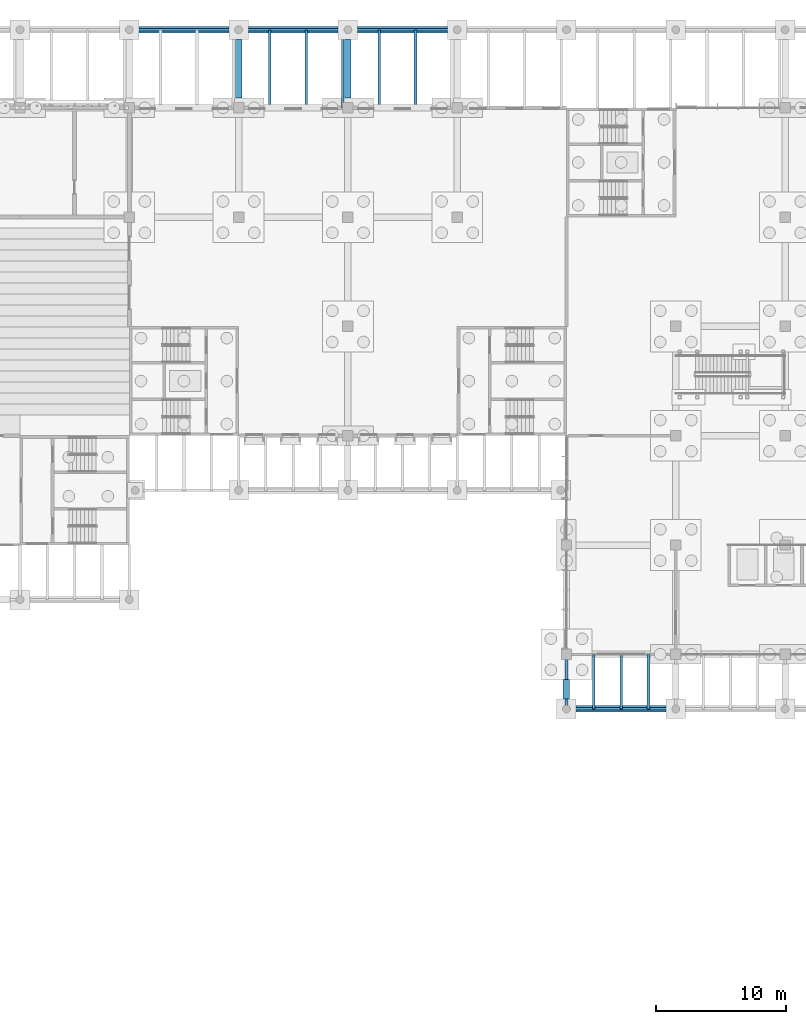
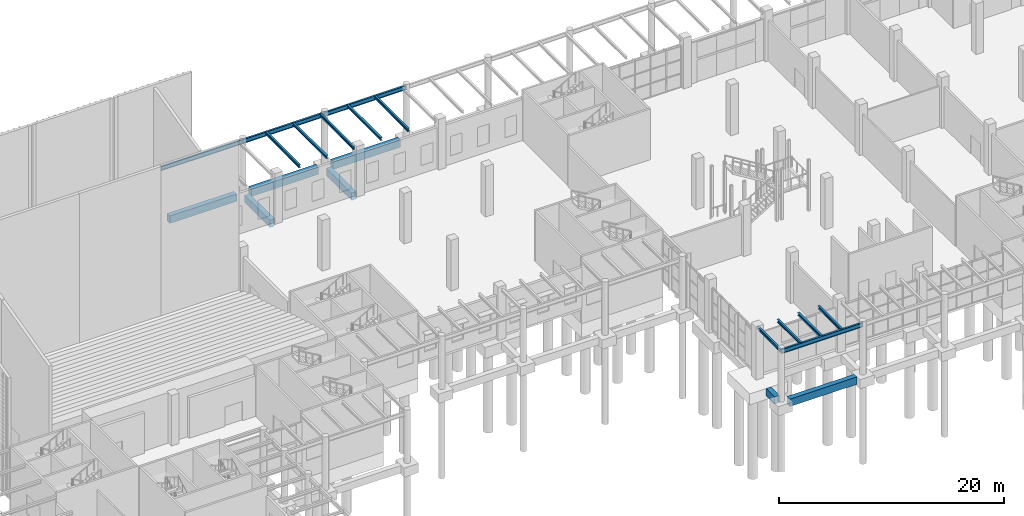
# One storey, part 12 of 82: 11 beams, 9 members.
"""IFC4 building model written with IfcOpenShell, lengths in metres."""

from ifc_helpers import new_model, si_unit, direction, frame, origin, origin_2d, place, context, subcontext, project, spatial, rectangle, i_section, extrude, material, material_profile, profile_set, type_object, element, save


model = new_model("IFC4")

# Units and contexts
model_context = context("Model", 3, precision=1e-05, world=origin(), true_north=direction((0.0, 1.0)))
body_context = subcontext(model_context, "Body", "Model", "MODEL_VIEW")
ifc_project = project(units=[si_unit("LENGTHUNIT", "METRE"), si_unit("AREAUNIT", "SQUARE_METRE"), si_unit("VOLUMEUNIT", "CUBIC_METRE"), si_unit("PLANEANGLEUNIT", "RADIAN"), si_unit("MASSUNIT", "GRAM", prefix="KILO")], contexts=[model_context])

# Site, building, storey
site_placement = place(None, origin())
site = spatial("IfcSite", under=ifc_project, at=site_placement, CompositionType="ELEMENT")
building_placement = place(site_placement, origin())
building = spatial("IfcBuilding", under=site, at=building_placement, Name="Almond Square Museum", CompositionType="ELEMENT")
storey_placement = place(building_placement, origin())
storey = spatial("IfcBuildingStorey", under=building, at=storey_placement, Name="L00", CompositionType="ELEMENT", Elevation=0.0)

# Beams
ifc_material_1 = material(Name="Structural steel S355", Category="steel")
ifc_material_profile_1 = material_profile(ifc_material_1, i_section(OverallWidth=0.19091796875, OverallDepth=0.45703125, WebThickness=0.009033203125, FlangeThickness=0.014404296875, at=origin_2d()))
ifc_profile_set_1 = profile_set([ifc_material_profile_1], Name="Structural steel S355")
beam_type_1 = type_object("IfcBeamType", Name="Eave beam W460x74", PredefinedType="BEAM", material=ifc_profile_set_1)
for number, where, z_axis, x_axis, name in (
    (1, (39.60009765625, 115.199951171875, 5.021484375), (1.0, 0.0, 0.0), (0.0, 1.0, 0.0), "ARN roof edge beam 6"),
    (2, (48.0, 115.199951171875, 5.021484375), (1.0, 0.0, 0.0), (0.0, 1.0, 0.0), "ARN roof edge beam 7"),
):
    element("IfcBeam", number, at=place(storey_placement, frame(where, z_axis=z_axis, x_axis=x_axis)), inside=storey, type_object=beam_type_1, Name=name, PredefinedType="BEAM", context=body_context, shape_type="SweptSolid", body=[
        extrude(i_section(OverallWidth=0.19091796875, OverallDepth=0.45703125, WebThickness=0.009033203125, FlangeThickness=0.014404296875, at=origin_2d()), origin(), (0.0, 0.0, 1.0), 8.39990234375),
    ])
for number, where, z_axis, x_axis, name in (
    (3, (56.39990234375, 115.199951171875, 5.021484375), (1.0, 0.0, 0.0), (0.0, 1.0, 0.0), "ARN roof edge beam 8"),
    (4, (73.199951171875, 63.0, 5.021484375), (1.0, 0.0, 0.0), (0.0, 1.0, 0.0), "LG-V2 roof edge beam 1"),
):
    element("IfcBeam", number, at=place(storey_placement, frame(where, z_axis=z_axis, x_axis=x_axis)), inside=storey, type_object=beam_type_1, Name=name, PredefinedType="BEAM", context=body_context, shape_type="SweptSolid", body=[
        extrude(i_section(OverallWidth=0.19091796875, OverallDepth=0.45703125, WebThickness=0.009033203125, FlangeThickness=0.014404296875, at=origin_2d()), origin(), (0.0, 0.0, 1.0), 8.400146484375),
    ])
ifc_material_2 = material(Name="Concrete C35/45", Category="concrete")
ifc_material_profile_2 = material_profile(ifc_material_2, rectangle(XDim=0.5, YDim=0.800048828125, at=origin_2d()))
ifc_profile_set_2 = profile_set([ifc_material_profile_2], Name="Concrete C35/45")
beam_type_2 = type_object("IfcBeamType", Name="RC ground beam 500 x 800 C35/45", PredefinedType="BEAM", material=ifc_profile_set_2)
beam_1_placement = place(storey_placement, frame((73.949951171875, 63.0, -0.699951171875), z_axis=(1.0, 0.0, 0.0), x_axis=(0.0, 1.0, 0.0)))
element("IfcBeam", 5, at=beam_1_placement, inside=storey, type_object=beam_type_2, Name="Ground beam 084", PredefinedType="BEAM", context=body_context, shape_type="SweptSolid", body=[
    extrude(rectangle(XDim=0.5, YDim=0.800048828125, at=origin_2d()), origin(), (0.0, 0.0, 1.0), 6.900146484375),
])
for number, where, z_axis, x_axis, name in (
    (6, (40.35009765625, 115.199951171875, -0.699951171875), (1.0, 0.0, 0.0), (0.0, 1.0, 0.0), "Ground beam 149"),
    (7, (48.75, 115.199951171875, -0.699951171875), (1.0, 0.0, 0.0), (0.0, 1.0, 0.0), "Ground beam 150"),
):
    element("IfcBeam", number, at=place(storey_placement, frame(where, z_axis=z_axis, x_axis=x_axis)), inside=storey, type_object=beam_type_2, Name=name, PredefinedType="BEAM", context=body_context, shape_type="SweptSolid", body=[
        extrude(rectangle(XDim=0.5, YDim=0.800048828125, at=origin_2d()), origin(), (0.0, 0.0, 1.0), 6.89990234375),
    ])
beam_2_placement = place(storey_placement, frame((57.14990234375, 115.199951171875, -0.699951171875), z_axis=(1.0, 0.0, 0.0), x_axis=(0.0, 1.0, 0.0)))
element("IfcBeam", 8, at=beam_2_placement, inside=storey, type_object=beam_type_2, Name="Ground beam 151", PredefinedType="BEAM", context=body_context, shape_type="SweptSolid", body=[
    extrude(rectangle(XDim=0.5, YDim=0.800048828125, at=origin_2d()), origin(), (0.0, 0.0, 1.0), 6.900146484375),
])
for number, where, z_axis, x_axis, name in (
    (9, (48.0, 109.949951171875, -0.699951171875), (0.0, 1.0, 0.0), (-1.0, 0.0, 0.0), "Ground beam 218"),
    (10, (56.39990234375, 109.949951171875, -0.699951171875), (0.0, 1.0, 0.0), (-1.0, 0.0, 0.0), "Ground beam 223"),
):
    element("IfcBeam", number, at=place(storey_placement, frame(where, z_axis=z_axis, x_axis=x_axis)), inside=storey, type_object=beam_type_2, Name=name, PredefinedType="BEAM", context=body_context, shape_type="SweptSolid", body=[
        extrude(rectangle(XDim=0.5, YDim=0.800048828125, at=origin_2d()), origin(), (0.0, 0.0, 1.0), 4.5),
    ])
beam_3_placement = place(storey_placement, frame((73.199951171875, 63.75, -0.699951171875), z_axis=(0.0, 1.0, 0.0), x_axis=(-1.0, 0.0, 0.0)))
element("IfcBeam", 11, at=beam_3_placement, inside=storey, type_object=beam_type_2, Name="Ground beam 229", PredefinedType="BEAM", context=body_context, shape_type="SweptSolid", body=[
    extrude(rectangle(XDim=0.5, YDim=0.800048828125, at=origin_2d()), origin(), (0.0, 0.0, 1.0), 1.5),
])

# Members
ifc_material_3 = material(Name="Structural steel S355", Category="steel")
ifc_material_profile_3 = material_profile(ifc_material_3, i_section(OverallWidth=0.202880859375, OverallDepth=0.302001953125, WebThickness=0.007568359375, FlangeThickness=0.01318359375, at=origin_2d()))
ifc_profile_set_3 = profile_set([ifc_material_profile_3], Name="Structural steel S355")
member_type = type_object("IfcMemberType", Name="Steel joist W310x60", PredefinedType="MEMBER", material=ifc_profile_set_3)
for number, where, z_axis, x_axis, name in (
    (12, (50.39990234375, 109.199951171875, 5.09912109375), (0.0, 1.0, 0.0), (-1.0, 0.0, 0.0), "ARN roof joist 19"),
    (13, (53.199951171875, 109.199951171875, 5.09912109375), (0.0, 1.0, 0.0), (-1.0, 0.0, 0.0), "ARN roof joist 20"),
    (14, (56.0, 109.199951171875, 5.09912109375), (0.0, 1.0, 0.0), (-1.0, 0.0, 0.0), "ARN roof joist 21"),
    (15, (58.800048828125, 109.199951171875, 5.09912109375), (0.0, 1.0, 0.0), (-1.0, 0.0, 0.0), "ARN roof joist 22"),
    (16, (61.60009765625, 109.199951171875, 5.09912109375), (0.0, 1.0, 0.0), (-1.0, 0.0, 0.0), "ARN roof joist 23"),
):
    element("IfcMember", number, at=place(storey_placement, frame(where, z_axis=z_axis, x_axis=x_axis)), inside=storey, type_object=member_type, Name=name, PredefinedType="MEMBER", context=body_context, shape_type="SweptSolid", body=[
        extrude(i_section(OverallWidth=0.202880859375, OverallDepth=0.302001953125, WebThickness=0.007568359375, FlangeThickness=0.01318359375, at=origin_2d()), origin(), (0.0, 0.0, 1.0), 6.0),
    ])
for number, where, z_axis, x_axis, name in (
    (17, (73.199951171875, 67.199951171875, 5.09912109375), (0.0, -1.0, 0.0), (1.0, 0.0, 0.0), "LG-V2 roof joist 1"),
    (18, (75.300048828125, 67.199951171875, 5.09912109375), (0.0, -1.0, 0.0), (1.0, 0.0, 0.0), "LG-V2 roof joist 2"),
    (19, (77.39990234375, 67.199951171875, 5.09912109375), (0.0, -1.0, 0.0), (1.0, 0.0, 0.0), "LG-V2 roof joist 3"),
    (20, (79.5, 67.199951171875, 5.09912109375), (0.0, -1.0, 0.0), (1.0, 0.0, 0.0), "LG-V2 roof joist 4"),
):
    element("IfcMember", number, at=place(storey_placement, frame(where, z_axis=z_axis, x_axis=x_axis)), inside=storey, type_object=member_type, Name=name, PredefinedType="MEMBER", context=body_context, shape_type="SweptSolid", body=[
        extrude(i_section(OverallWidth=0.202880859375, OverallDepth=0.302001953125, WebThickness=0.007568359375, FlangeThickness=0.01318359375, at=origin_2d()), origin(), (0.0, 0.0, 1.0), 4.199951171875),
    ])

save(model, "model.ifc")
